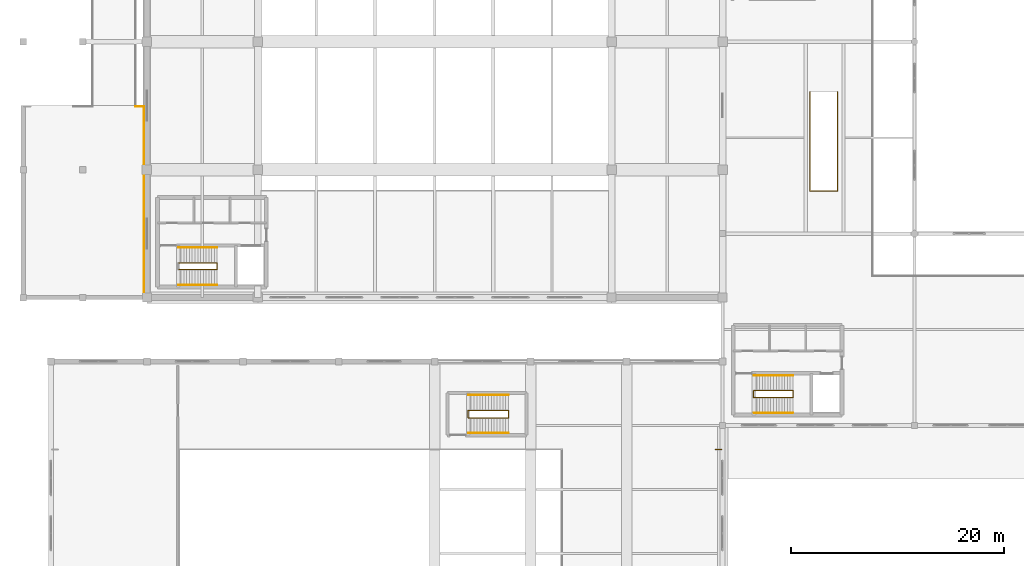
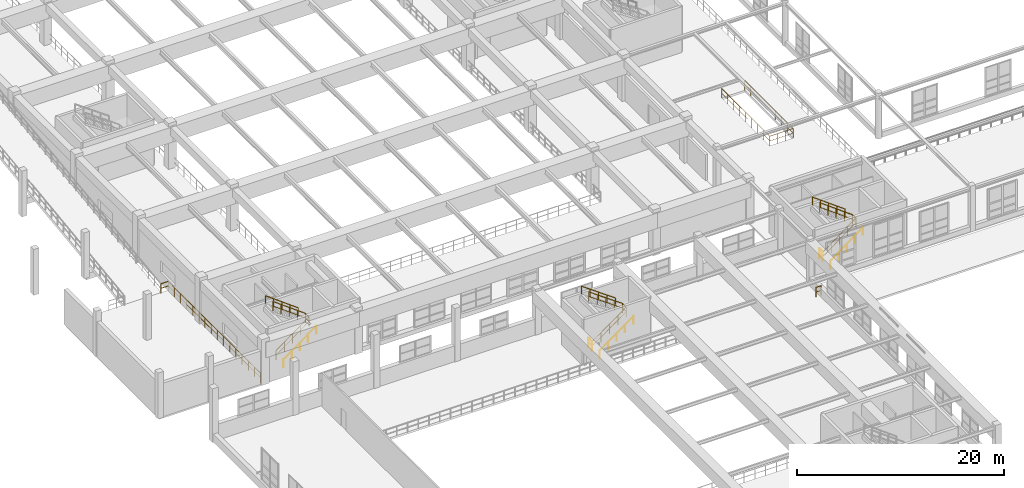
# One storey, part 188 of 197: 14 railings.
"""IFC4 building model written with IfcOpenShell, lengths in metres."""

from ifc_helpers import new_model, si_unit, derived_unit, direction, frame, origin, origin_2d, place, context, subcontext, project, spatial, circle, extrude, material, type_object, element, save


model = new_model("IFC4")

# Units and contexts
model_context = context("Model", 3, precision=1e-05, world=origin(), true_north=direction((0.0, 1.0)))
body_context = subcontext(model_context, "Body", "Model", "MODEL_VIEW")
ifc_project = project(units=[si_unit("LENGTHUNIT", "METRE"), si_unit("AREAUNIT", "SQUARE_METRE"), si_unit("VOLUMEUNIT", "CUBIC_METRE"), si_unit("PLANEANGLEUNIT", "RADIAN"), si_unit("MASSUNIT", "GRAM", prefix="KILO"), derived_unit("THERMALTRANSMITTANCEUNIT", [(si_unit("POWERUNIT", "WATT"), 1), (si_unit("LENGTHUNIT", "METRE"), -2), (si_unit("THERMODYNAMICTEMPERATUREUNIT", "KELVIN"), -1)])], contexts=[model_context])

# Site, building, storey
site_placement = place(None, origin())
site = spatial("IfcSite", under=ifc_project, at=site_placement, CompositionType="ELEMENT")
building_placement = place(site_placement, origin())
building = spatial("IfcBuilding", under=site, at=building_placement, Name="Almenara Railside Exhibition Hall", CompositionType="ELEMENT")
storey_placement = place(building_placement, frame((0.0, 0.0, 5.39990234375)))
storey = spatial("IfcBuildingStorey", under=building, at=storey_placement, Name="L01", CompositionType="ELEMENT", Elevation=5.39990234375)

# Railings
ifc_material_1 = material(Name="Bronze-capped laminated glass balustrade", Category="glass")
railing_type_1 = type_object("IfcRailingType", Name="Gallery Overlook Glazed Balustrade 1150mm", PredefinedType="BALUSTRADE", material=ifc_material_1)
railing_1_placement = place(storey_placement, frame((65.35009765625, 33.75, 0.0)))
element("IfcRailing", 1, at=railing_1_placement, inside=storey, type_object=railing_type_1, Name="Guard balustrade 0025", PredefinedType="BALUSTRADE", context=body_context, shape_type="SweptSolid", body=[
    extrude(circle(Radius=0.02392578125, at=origin_2d()), frame((0.0, 0.0, 1.1259765625), z_axis=(1.0, 0.0, 0.0), x_axis=(0.0, 1.0, 0.0)), (0.0, 0.0, 1.0), 0.56982421875),
    extrude(circle(Radius=0.01416015625, at=origin_2d()), frame((0.0, 0.0, 0.574951171875), z_axis=(1.0, 0.0, 0.0), x_axis=(0.0, 1.0, 0.0)), (0.0, 0.0, 1.0), 0.56982421875),
    extrude(circle(Radius=0.02099609375, at=origin_2d()), origin(), (0.0, 0.0, 1.0), 1.101806640625),
    extrude(circle(Radius=0.02099609375, at=origin_2d()), frame((0.56982421875, 0.0, 0.0)), (0.0, 0.0, 1.0), 1.101806640625),
])
railing_2_placement = place(storey_placement, frame((74.199951171875, 67.300048828125, 0.0)))
element("IfcRailing", 2, at=railing_2_placement, inside=storey, type_object=railing_type_1, Name="Guard balustrade 0028", PredefinedType="BALUSTRADE", context=body_context, shape_type="SweptSolid", body=[
    extrude(circle(Radius=0.02392578125, at=origin_2d()), frame((0.0, 0.0, 1.1259765625), z_axis=(0.0, -1.0, 0.0), x_axis=(1.0, 0.0, 0.0)), (0.0, 0.0, 1.0), 9.300048828125),
    extrude(circle(Radius=0.01416015625, at=origin_2d()), frame((0.0, 0.0, 0.574951171875), z_axis=(0.0, -1.0, 0.0), x_axis=(1.0, 0.0, 0.0)), (0.0, 0.0, 1.0), 9.300048828125),
    extrude(circle(Radius=0.02392578125, at=origin_2d()), frame((0.0, -9.300048828125, 1.1259765625), z_axis=(1.0, 0.0, 0.0), x_axis=(0.0, 1.0, 0.0)), (0.0, 0.0, 1.0), 2.60009765625),
    extrude(circle(Radius=0.01416015625, at=origin_2d()), frame((0.0, -9.300048828125, 0.574951171875), z_axis=(1.0, 0.0, 0.0), x_axis=(0.0, 1.0, 0.0)), (0.0, 0.0, 1.0), 2.60009765625),
    extrude(circle(Radius=0.02392578125, at=origin_2d()), frame((2.60009765625, -9.300048828125, 1.1259765625), z_axis=(0.0, 1.0, 0.0), x_axis=(-1.0, 0.0, 0.0)), (0.0, 0.0, 1.0), 9.300048828125),
    extrude(circle(Radius=0.01416015625, at=origin_2d()), frame((2.60009765625, -9.300048828125, 0.574951171875), z_axis=(0.0, 1.0, 0.0), x_axis=(-1.0, 0.0, 0.0)), (0.0, 0.0, 1.0), 9.300048828125),
    extrude(circle(Radius=0.02099609375, at=origin_2d()), origin(), (0.0, 0.0, 1.0), 1.101806640625),
    extrude(circle(Radius=0.02099609375, at=origin_2d()), frame((0.0, -1.16259765625, 0.0)), (0.0, 0.0, 1.0), 1.101806640625),
    extrude(circle(Radius=0.02099609375, at=origin_2d()), frame((0.0, -2.324951171875, 0.0)), (0.0, 0.0, 1.0), 1.101806640625),
    extrude(circle(Radius=0.02099609375, at=origin_2d()), frame((0.0, -3.487548828125, 0.0)), (0.0, 0.0, 1.0), 1.101806640625),
    extrude(circle(Radius=0.02099609375, at=origin_2d()), frame((0.0, -4.64990234375, 0.0)), (0.0, 0.0, 1.0), 1.101806640625),
    extrude(circle(Radius=0.02099609375, at=origin_2d()), frame((0.0, -5.8125, 0.0)), (0.0, 0.0, 1.0), 1.101806640625),
    extrude(circle(Radius=0.02099609375, at=origin_2d()), frame((0.0, -6.97509765625, 0.0)), (0.0, 0.0, 1.0), 1.101806640625),
    extrude(circle(Radius=0.02099609375, at=origin_2d()), frame((0.0, -8.137451171875, 0.0)), (0.0, 0.0, 1.0), 1.101806640625),
    extrude(circle(Radius=0.02099609375, at=origin_2d()), frame((0.0, -9.300048828125, 0.0)), (0.0, 0.0, 1.0), 1.101806640625),
    extrude(circle(Radius=0.02099609375, at=origin_2d()), frame((0.86669921875, -9.300048828125, 0.0)), (0.0, 0.0, 1.0), 1.101806640625),
    extrude(circle(Radius=0.02099609375, at=origin_2d()), frame((1.7333984375, -9.300048828125, 0.0)), (0.0, 0.0, 1.0), 1.101806640625),
    extrude(circle(Radius=0.02099609375, at=origin_2d()), frame((2.60009765625, -9.300048828125, 0.0)), (0.0, 0.0, 1.0), 1.101806640625),
    extrude(circle(Radius=0.02099609375, at=origin_2d()), frame((2.60009765625, -8.137451171875, 0.0)), (0.0, 0.0, 1.0), 1.101806640625),
    extrude(circle(Radius=0.02099609375, at=origin_2d()), frame((2.60009765625, -6.97509765625, 0.0)), (0.0, 0.0, 1.0), 1.101806640625),
    extrude(circle(Radius=0.02099609375, at=origin_2d()), frame((2.60009765625, -5.8125, 0.0)), (0.0, 0.0, 1.0), 1.101806640625),
    extrude(circle(Radius=0.02099609375, at=origin_2d()), frame((2.60009765625, -4.64990234375, 0.0)), (0.0, 0.0, 1.0), 1.101806640625),
    extrude(circle(Radius=0.02099609375, at=origin_2d()), frame((2.60009765625, -3.487548828125, 0.0)), (0.0, 0.0, 1.0), 1.101806640625),
    extrude(circle(Radius=0.02099609375, at=origin_2d()), frame((2.60009765625, -2.324951171875, 0.0)), (0.0, 0.0, 1.0), 1.101806640625),
    extrude(circle(Radius=0.02099609375, at=origin_2d()), frame((2.60009765625, -1.16259765625, 0.0)), (0.0, 0.0, 1.0), 1.101806640625),
    extrude(circle(Radius=0.02099609375, at=origin_2d()), frame((2.60009765625, 0.0, 0.0)), (0.0, 0.0, 1.0), 1.101806640625),
])
ifc_material_2 = material(Name="Bronze-finished tubular steel handrail", Category="steel")
railing_type_2 = type_object("IfcRailingType", Name="Stair Pitch Handrail 920mm", PredefinedType="HANDRAIL", material=ifc_material_2)
railing_3_placement = place(storey_placement, frame((14.949951171875, 49.199951171875, 0.0)))
element("IfcRailing", 3, at=railing_3_placement, inside=storey, type_object=railing_type_2, Name="HR-L01-0005", PredefinedType="HANDRAIL", context=body_context, shape_type="SweptSolid", body=[
    extrude(circle(Radius=0.02392578125, at=origin_2d()), frame((0.0, 0.0, 0.89599609375), z_axis=(0.803919029911, 0.0, 0.594738760589), x_axis=(0.0, 1.0, 0.0)), (0.0, 0.0, 1.0), 4.5400390625),
    extrude(circle(Radius=0.02099609375, at=origin_2d()), origin(), (0.0, 0.0, 1.0), 0.871826171875),
    extrude(circle(Radius=0.02099609375, at=origin_2d()), frame((0.91259765625, 0.0, 0.675048828125)), (0.0, 0.0, 1.0), 0.871826171875),
    extrude(circle(Radius=0.02099609375, at=origin_2d()), frame((1.824951171875, 0.0, 1.35009765625)), (0.0, 0.0, 1.0), 0.871826171875),
    extrude(circle(Radius=0.02099609375, at=origin_2d()), frame((2.7373046875, 0.0, 2.025146484375)), (0.0, 0.0, 1.0), 0.871826171875),
    extrude(circle(Radius=0.02099609375, at=origin_2d()), frame((3.64990234375, 0.0, 2.7001953125)), (0.0, 0.0, 1.0), 0.871826171875),
])
railing_4_placement = place(storey_placement, frame((18.599853515625, 52.699951171875, 2.7001953125)))
element("IfcRailing", 4, at=railing_4_placement, inside=storey, type_object=railing_type_2, Name="HR-L01-0006", PredefinedType="HANDRAIL", context=body_context, shape_type="SweptSolid", body=[
    extrude(circle(Radius=0.02392578125, at=origin_2d()), frame((0.0, 0.0, 0.89599609375), z_axis=(-0.803944740431, 0.0, 0.594704005647), x_axis=(0.0, -1.0, 0.0)), (0.0, 0.0, 1.0), 4.5400390625),
    extrude(circle(Radius=0.02099609375, at=origin_2d()), origin(), (0.0, 0.0, 1.0), 0.871826171875),
    extrude(circle(Radius=0.02099609375, at=origin_2d()), frame((-0.91259765625, 0.0, 0.675048828125)), (0.0, 0.0, 1.0), 0.871826171875),
    extrude(circle(Radius=0.02099609375, at=origin_2d()), frame((-1.824951171875, 0.0, 1.35009765625)), (0.0, 0.0, 1.0), 0.871826171875),
    extrude(circle(Radius=0.02099609375, at=origin_2d()), frame((-2.7373046875, 0.0, 2.02490234375)), (0.0, 0.0, 1.0), 0.871826171875),
    extrude(circle(Radius=0.02099609375, at=origin_2d()), frame((-3.64990234375, 0.0, 2.699951171875)), (0.0, 0.0, 1.0), 0.871826171875),
])
railing_5_placement = place(storey_placement, frame((68.949951171875, 37.199951171875, 0.0)))
element("IfcRailing", 5, at=railing_5_placement, inside=storey, type_object=railing_type_2, Name="HR-L01-0025", PredefinedType="HANDRAIL", context=body_context, shape_type="SweptSolid", body=[
    extrude(circle(Radius=0.02392578125, at=origin_2d()), frame((0.0, 0.0, 0.89599609375), z_axis=(0.803919029911, 0.0, 0.594738760589), x_axis=(0.0, 1.0, 0.0)), (0.0, 0.0, 1.0), 4.5400390625),
    extrude(circle(Radius=0.02099609375, at=origin_2d()), origin(), (0.0, 0.0, 1.0), 0.871826171875),
    extrude(circle(Radius=0.02099609375, at=origin_2d()), frame((0.91259765625, 0.0, 0.675048828125)), (0.0, 0.0, 1.0), 0.871826171875),
    extrude(circle(Radius=0.02099609375, at=origin_2d()), frame((1.824951171875, 0.0, 1.35009765625)), (0.0, 0.0, 1.0), 0.871826171875),
    extrude(circle(Radius=0.02099609375, at=origin_2d()), frame((2.7373046875, 0.0, 2.025146484375)), (0.0, 0.0, 1.0), 0.871826171875),
    extrude(circle(Radius=0.02099609375, at=origin_2d()), frame((3.64990234375, 0.0, 2.7001953125)), (0.0, 0.0, 1.0), 0.871826171875),
])
railing_6_placement = place(storey_placement, frame((72.599853515625, 40.699951171875, 2.7001953125)))
element("IfcRailing", 6, at=railing_6_placement, inside=storey, type_object=railing_type_2, Name="HR-L01-0026", PredefinedType="HANDRAIL", context=body_context, shape_type="SweptSolid", body=[
    extrude(circle(Radius=0.02392578125, at=origin_2d()), frame((0.0, 0.0, 0.89599609375), z_axis=(-0.803944740431, 0.0, 0.594704005647), x_axis=(0.0, -1.0, 0.0)), (0.0, 0.0, 1.0), 4.5400390625),
    extrude(circle(Radius=0.02099609375, at=origin_2d()), origin(), (0.0, 0.0, 1.0), 0.871826171875),
    extrude(circle(Radius=0.02099609375, at=origin_2d()), frame((-0.91259765625, 0.0, 0.675048828125)), (0.0, 0.0, 1.0), 0.871826171875),
    extrude(circle(Radius=0.02099609375, at=origin_2d()), frame((-1.824951171875, 0.0, 1.35009765625)), (0.0, 0.0, 1.0), 0.871826171875),
    extrude(circle(Radius=0.02099609375, at=origin_2d()), frame((-2.7373046875, 0.0, 2.02490234375)), (0.0, 0.0, 1.0), 0.871826171875),
    extrude(circle(Radius=0.02099609375, at=origin_2d()), frame((-3.64990234375, 0.0, 2.699951171875)), (0.0, 0.0, 1.0), 0.871826171875),
])
railing_7_placement = place(storey_placement, frame((42.14990234375, 35.300048828125, 0.0)))
element("IfcRailing", 7, at=railing_7_placement, inside=storey, type_object=railing_type_2, Name="HR-L01-0129", PredefinedType="HANDRAIL", context=body_context, shape_type="SweptSolid", body=[
    extrude(circle(Radius=0.02392578125, at=origin_2d()), frame((0.0, 0.0, 0.89599609375), z_axis=(0.813715715614, 0.0, 0.581263050746), x_axis=(0.0, 1.0, 0.0)), (0.0, 0.0, 1.0), 4.6455078125),
    extrude(circle(Radius=0.02099609375, at=origin_2d()), origin(), (0.0, 0.0, 1.0), 0.871826171875),
    extrude(circle(Radius=0.02099609375, at=origin_2d()), frame((0.945068359375, 0.0, 0.675048828125)), (0.0, 0.0, 1.0), 0.871826171875),
    extrude(circle(Radius=0.02099609375, at=origin_2d()), frame((1.89013671875, 0.0, 1.35009765625)), (0.0, 0.0, 1.0), 0.871826171875),
    extrude(circle(Radius=0.02099609375, at=origin_2d()), frame((2.8349609375, 0.0, 2.025146484375)), (0.0, 0.0, 1.0), 0.871826171875),
    extrude(circle(Radius=0.02099609375, at=origin_2d()), frame((3.780029296875, 0.0, 2.7001953125)), (0.0, 0.0, 1.0), 0.871826171875),
])
railing_8_placement = place(storey_placement, frame((45.929931640625, 38.85009765625, 2.7001953125)))
element("IfcRailing", 8, at=railing_8_placement, inside=storey, type_object=railing_type_2, Name="HR-L01-0130", PredefinedType="HANDRAIL", context=body_context, shape_type="SweptSolid", body=[
    extrude(circle(Radius=0.02392578125, at=origin_2d()), frame((0.0, 0.0, 0.89599609375), z_axis=(-0.813740573448, 0.0, 0.581228250453), x_axis=(0.0, -1.0, 0.0)), (0.0, 0.0, 1.0), 4.645263671875),
    extrude(circle(Radius=0.02099609375, at=origin_2d()), origin(), (0.0, 0.0, 1.0), 0.871826171875),
    extrude(circle(Radius=0.02099609375, at=origin_2d()), frame((-0.945068359375, 0.0, 0.675048828125)), (0.0, 0.0, 1.0), 0.871826171875),
    extrude(circle(Radius=0.02099609375, at=origin_2d()), frame((-1.89013671875, 0.0, 1.35009765625)), (0.0, 0.0, 1.0), 0.871826171875),
    extrude(circle(Radius=0.02099609375, at=origin_2d()), frame((-2.8349609375, 0.0, 2.02490234375)), (0.0, 0.0, 1.0), 0.871826171875),
    extrude(circle(Radius=0.02099609375, at=origin_2d()), frame((-3.780029296875, 0.0, 2.699951171875)), (0.0, 0.0, 1.0), 0.871826171875),
])
ifc_material_3 = material(Name="Dark wrought-iron stair balustrade")
railing_type_3 = type_object("IfcRailingType", Name="Stair Well Guard Rail 1120mm", PredefinedType="BALUSTRADE", material=ifc_material_3)
railing_9_placement = place(storey_placement, frame((14.949951171875, 50.6298828125, 0.0)))
element("IfcRailing", 9, at=railing_9_placement, inside=storey, type_object=railing_type_3, Name="SG-L01-0007", PredefinedType="BALUSTRADE", context=body_context, shape_type="SweptSolid", body=[
    extrude(circle(Radius=0.02392578125, at=origin_2d()), frame((0.0, 0.0, 1.09619140625), z_axis=(0.803919029911, 0.0, 0.594738760589), x_axis=(0.0, 1.0, 0.0)), (0.0, 0.0, 1.0), 4.5400390625),
    extrude(circle(Radius=0.01416015625, at=origin_2d()), frame((0.0, 0.0, 0.56005859375), z_axis=(0.803919029911, 0.0, 0.594738760589), x_axis=(0.0, 1.0, 0.0)), (0.0, 0.0, 1.0), 4.5400390625),
    extrude(circle(Radius=0.02392578125, at=origin_2d()), frame((3.64990234375, 0.0, 3.79638671875), z_axis=(0.0, 1.0, 0.0), x_axis=(-1.0, 0.0, 0.0)), (0.0, 0.0, 1.0), 0.64013671875),
    extrude(circle(Radius=0.01416015625, at=origin_2d()), frame((3.64990234375, 0.0, 3.26025390625), z_axis=(0.0, 1.0, 0.0), x_axis=(-1.0, 0.0, 0.0)), (0.0, 0.0, 1.0), 0.64013671875),
    extrude(circle(Radius=0.02392578125, at=origin_2d()), frame((3.64990234375, 0.64013671875, 3.79638671875), z_axis=(-0.803944740431, 0.0, 0.594704005647), x_axis=(0.0, -1.0, 0.0)), (0.0, 0.0, 1.0), 4.5400390625),
    extrude(circle(Radius=0.01416015625, at=origin_2d()), frame((3.64990234375, 0.64013671875, 3.26025390625), z_axis=(-0.803944740431, 0.0, 0.594704005647), x_axis=(0.0, -1.0, 0.0)), (0.0, 0.0, 1.0), 4.5400390625),
    extrude(circle(Radius=0.02099609375, at=origin_2d()), origin(), (0.0, 0.0, 1.0), 1.072021484375),
    extrude(circle(Radius=0.02099609375, at=origin_2d()), frame((0.91259765625, 0.0, 0.675048828125)), (0.0, 0.0, 1.0), 1.072021484375),
    extrude(circle(Radius=0.02099609375, at=origin_2d()), frame((1.824951171875, 0.0, 1.35009765625)), (0.0, 0.0, 1.0), 1.072021484375),
    extrude(circle(Radius=0.02099609375, at=origin_2d()), frame((2.7373046875, 0.0, 2.025146484375)), (0.0, 0.0, 1.0), 1.072021484375),
    extrude(circle(Radius=0.02099609375, at=origin_2d()), frame((3.64990234375, 0.0, 2.7001953125)), (0.0, 0.0, 1.0), 1.072021484375),
    extrude(circle(Radius=0.02099609375, at=origin_2d()), frame((3.64990234375, 0.64013671875, 2.7001953125)), (0.0, 0.0, 1.0), 1.072021484375),
    extrude(circle(Radius=0.02099609375, at=origin_2d()), frame((2.7373046875, 0.64013671875, 3.375244140625)), (0.0, 0.0, 1.0), 1.072021484375),
    extrude(circle(Radius=0.02099609375, at=origin_2d()), frame((1.824951171875, 0.64013671875, 4.05029296875)), (0.0, 0.0, 1.0), 1.072021484375),
    extrude(circle(Radius=0.02099609375, at=origin_2d()), frame((0.91259765625, 0.64013671875, 4.72509765625)), (0.0, 0.0, 1.0), 1.072021484375),
    extrude(circle(Radius=0.02099609375, at=origin_2d()), frame((0.0, 0.64013671875, 5.400146484375)), (0.0, 0.0, 1.0), 1.072021484375),
])
railing_10_placement = place(storey_placement, frame((68.919921875, 38.6298828125, 0.0)))
element("IfcRailing", 10, at=railing_10_placement, inside=storey, type_object=railing_type_3, Name="SG-L01-0024", PredefinedType="BALUSTRADE", context=body_context, shape_type="SweptSolid", body=[
    extrude(circle(Radius=0.02392578125, at=origin_2d()), frame((0.0, 0.0, 1.09619140625), z_axis=(0.0, 1.0, 0.0), x_axis=(-1.0, 0.0, 0.0)), (0.0, 0.0, 1.0), 0.64013671875),
    extrude(circle(Radius=0.01416015625, at=origin_2d()), frame((0.0, 0.0, 0.56005859375), z_axis=(0.0, 1.0, 0.0), x_axis=(-1.0, 0.0, 0.0)), (0.0, 0.0, 1.0), 0.64013671875),
    extrude(circle(Radius=0.02099609375, at=origin_2d()), origin(), (0.0, 0.0, 1.0), 1.072021484375),
    extrude(circle(Radius=0.02099609375, at=origin_2d()), frame((0.0, 0.64013671875, 0.0)), (0.0, 0.0, 1.0), 1.072021484375),
])
railing_11_placement = place(storey_placement, frame((68.949951171875, 38.6298828125, 0.0)))
element("IfcRailing", 11, at=railing_11_placement, inside=storey, type_object=railing_type_3, Name="SG-L01-0027", PredefinedType="BALUSTRADE", context=body_context, shape_type="SweptSolid", body=[
    extrude(circle(Radius=0.02392578125, at=origin_2d()), frame((0.0, 0.0, 1.09619140625), z_axis=(0.803919029911, 0.0, 0.594738760589), x_axis=(0.0, 1.0, 0.0)), (0.0, 0.0, 1.0), 4.5400390625),
    extrude(circle(Radius=0.01416015625, at=origin_2d()), frame((0.0, 0.0, 0.56005859375), z_axis=(0.803919029911, 0.0, 0.594738760589), x_axis=(0.0, 1.0, 0.0)), (0.0, 0.0, 1.0), 4.5400390625),
    extrude(circle(Radius=0.02392578125, at=origin_2d()), frame((3.64990234375, 0.0, 3.79638671875), z_axis=(0.0, 1.0, 0.0), x_axis=(-1.0, 0.0, 0.0)), (0.0, 0.0, 1.0), 0.64013671875),
    extrude(circle(Radius=0.01416015625, at=origin_2d()), frame((3.64990234375, 0.0, 3.26025390625), z_axis=(0.0, 1.0, 0.0), x_axis=(-1.0, 0.0, 0.0)), (0.0, 0.0, 1.0), 0.64013671875),
    extrude(circle(Radius=0.02392578125, at=origin_2d()), frame((3.64990234375, 0.64013671875, 3.79638671875), z_axis=(-0.803944740431, 0.0, 0.594704005647), x_axis=(0.0, -1.0, 0.0)), (0.0, 0.0, 1.0), 4.5400390625),
    extrude(circle(Radius=0.01416015625, at=origin_2d()), frame((3.64990234375, 0.64013671875, 3.26025390625), z_axis=(-0.803944740431, 0.0, 0.594704005647), x_axis=(0.0, -1.0, 0.0)), (0.0, 0.0, 1.0), 4.5400390625),
    extrude(circle(Radius=0.02099609375, at=origin_2d()), origin(), (0.0, 0.0, 1.0), 1.072021484375),
    extrude(circle(Radius=0.02099609375, at=origin_2d()), frame((0.91259765625, 0.0, 0.675048828125)), (0.0, 0.0, 1.0), 1.072021484375),
    extrude(circle(Radius=0.02099609375, at=origin_2d()), frame((1.824951171875, 0.0, 1.35009765625)), (0.0, 0.0, 1.0), 1.072021484375),
    extrude(circle(Radius=0.02099609375, at=origin_2d()), frame((2.7373046875, 0.0, 2.025146484375)), (0.0, 0.0, 1.0), 1.072021484375),
    extrude(circle(Radius=0.02099609375, at=origin_2d()), frame((3.64990234375, 0.0, 2.7001953125)), (0.0, 0.0, 1.0), 1.072021484375),
    extrude(circle(Radius=0.02099609375, at=origin_2d()), frame((3.64990234375, 0.64013671875, 2.7001953125)), (0.0, 0.0, 1.0), 1.072021484375),
    extrude(circle(Radius=0.02099609375, at=origin_2d()), frame((2.7373046875, 0.64013671875, 3.375244140625)), (0.0, 0.0, 1.0), 1.072021484375),
    extrude(circle(Radius=0.02099609375, at=origin_2d()), frame((1.824951171875, 0.64013671875, 4.05029296875)), (0.0, 0.0, 1.0), 1.072021484375),
    extrude(circle(Radius=0.02099609375, at=origin_2d()), frame((0.91259765625, 0.64013671875, 4.72509765625)), (0.0, 0.0, 1.0), 1.072021484375),
    extrude(circle(Radius=0.02099609375, at=origin_2d()), frame((0.0, 0.64013671875, 5.400146484375)), (0.0, 0.0, 1.0), 1.072021484375),
])
railing_12_placement = place(storey_placement, frame((42.1201171875, 36.72998046875, 0.0)))
element("IfcRailing", 12, at=railing_12_placement, inside=storey, type_object=railing_type_3, Name="SG-L01-0128", PredefinedType="BALUSTRADE", context=body_context, shape_type="SweptSolid", body=[
    extrude(circle(Radius=0.02392578125, at=origin_2d()), frame((0.0, 0.0, 1.09619140625), z_axis=(0.0, 1.0, 0.0), x_axis=(-1.0, 0.0, 0.0)), (0.0, 0.0, 1.0), 0.68994140625),
    extrude(circle(Radius=0.01416015625, at=origin_2d()), frame((0.0, 0.0, 0.56005859375), z_axis=(0.0, 1.0, 0.0), x_axis=(-1.0, 0.0, 0.0)), (0.0, 0.0, 1.0), 0.68994140625),
    extrude(circle(Radius=0.02099609375, at=origin_2d()), origin(), (0.0, 0.0, 1.0), 1.072021484375),
    extrude(circle(Radius=0.02099609375, at=origin_2d()), frame((0.0, 0.68994140625, 0.0)), (0.0, 0.0, 1.0), 1.072021484375),
])
railing_13_placement = place(storey_placement, frame((42.14990234375, 36.72998046875, 0.0)))
element("IfcRailing", 13, at=railing_13_placement, inside=storey, type_object=railing_type_3, Name="SG-L01-0131", PredefinedType="BALUSTRADE", context=body_context, shape_type="SweptSolid", body=[
    extrude(circle(Radius=0.02392578125, at=origin_2d()), frame((0.0, 0.0, 1.09619140625), z_axis=(0.813715715614, 0.0, 0.581263050746), x_axis=(0.0, 1.0, 0.0)), (0.0, 0.0, 1.0), 4.6455078125),
    extrude(circle(Radius=0.01416015625, at=origin_2d()), frame((0.0, 0.0, 0.56005859375), z_axis=(0.813715715614, 0.0, 0.581263050746), x_axis=(0.0, 1.0, 0.0)), (0.0, 0.0, 1.0), 4.6455078125),
    extrude(circle(Radius=0.02392578125, at=origin_2d()), frame((3.780029296875, 0.0, 3.79638671875), z_axis=(0.0, 1.0, 0.0), x_axis=(-1.0, 0.0, 0.0)), (0.0, 0.0, 1.0), 0.68994140625),
    extrude(circle(Radius=0.01416015625, at=origin_2d()), frame((3.780029296875, 0.0, 3.26025390625), z_axis=(0.0, 1.0, 0.0), x_axis=(-1.0, 0.0, 0.0)), (0.0, 0.0, 1.0), 0.68994140625),
    extrude(circle(Radius=0.02392578125, at=origin_2d()), frame((3.780029296875, 0.68994140625, 3.79638671875), z_axis=(-0.813740573448, 0.0, 0.581228250453), x_axis=(0.0, -1.0, 0.0)), (0.0, 0.0, 1.0), 4.645263671875),
    extrude(circle(Radius=0.01416015625, at=origin_2d()), frame((3.780029296875, 0.68994140625, 3.26025390625), z_axis=(-0.813740573448, 0.0, 0.581228250453), x_axis=(0.0, -1.0, 0.0)), (0.0, 0.0, 1.0), 4.645263671875),
    extrude(circle(Radius=0.02099609375, at=origin_2d()), origin(), (0.0, 0.0, 1.0), 1.072021484375),
    extrude(circle(Radius=0.02099609375, at=origin_2d()), frame((0.945068359375, 0.0, 0.675048828125)), (0.0, 0.0, 1.0), 1.072021484375),
    extrude(circle(Radius=0.02099609375, at=origin_2d()), frame((1.89013671875, 0.0, 1.35009765625)), (0.0, 0.0, 1.0), 1.072021484375),
    extrude(circle(Radius=0.02099609375, at=origin_2d()), frame((2.8349609375, 0.0, 2.025146484375)), (0.0, 0.0, 1.0), 1.072021484375),
    extrude(circle(Radius=0.02099609375, at=origin_2d()), frame((3.780029296875, 0.0, 2.7001953125)), (0.0, 0.0, 1.0), 1.072021484375),
    extrude(circle(Radius=0.02099609375, at=origin_2d()), frame((3.780029296875, 0.68994140625, 2.7001953125)), (0.0, 0.0, 1.0), 1.072021484375),
    extrude(circle(Radius=0.02099609375, at=origin_2d()), frame((2.8349609375, 0.68994140625, 3.375244140625)), (0.0, 0.0, 1.0), 1.072021484375),
    extrude(circle(Radius=0.02099609375, at=origin_2d()), frame((1.89013671875, 0.68994140625, 4.05029296875)), (0.0, 0.0, 1.0), 1.072021484375),
    extrude(circle(Radius=0.02099609375, at=origin_2d()), frame((0.945068359375, 0.68994140625, 4.72509765625)), (0.0, 0.0, 1.0), 1.072021484375),
    extrude(circle(Radius=0.02099609375, at=origin_2d()), frame((0.0, 0.68994140625, 5.400146484375)), (0.0, 0.0, 1.0), 1.072021484375),
])
ifc_material_4 = material(Name="Dark wrought-iron architectural balustrade")
railing_type_4 = type_object("IfcRailingType", Name="Wrought-Iron Rejas Terrace Balustrade 1120mm", PredefinedType="BALUSTRADE", material=ifc_material_4)
railing_14_placement = place(storey_placement, frame((10.919921875, 65.919921875, 0.0)))
element("IfcRailing", 14, at=railing_14_placement, inside=storey, type_object=railing_type_4, Name="Guard balustrade 0012", PredefinedType="BALUSTRADE", context=body_context, shape_type="SweptSolid", body=[
    extrude(circle(Radius=0.02392578125, at=origin_2d()), frame((0.0, 0.0, 1.09619140625), z_axis=(1.0, 0.0, 0.0), x_axis=(0.0, 1.0, 0.0)), (0.0, 0.0, 1.0), 0.830078125),
    extrude(circle(Radius=0.01416015625, at=origin_2d()), frame((0.0, 0.0, 0.56005859375), z_axis=(1.0, 0.0, 0.0), x_axis=(0.0, 1.0, 0.0)), (0.0, 0.0, 1.0), 0.830078125),
    extrude(circle(Radius=0.02392578125, at=origin_2d()), frame((0.830078125, 0.0, 1.09619140625), z_axis=(0.0, -1.0, 0.0), x_axis=(1.0, 0.0, 0.0)), (0.0, 0.0, 1.0), 17.83984375),
    extrude(circle(Radius=0.01416015625, at=origin_2d()), frame((0.830078125, 0.0, 0.56005859375), z_axis=(0.0, -1.0, 0.0), x_axis=(1.0, 0.0, 0.0)), (0.0, 0.0, 1.0), 17.83984375),
    extrude(circle(Radius=0.02099609375, at=origin_2d()), origin(), (0.0, 0.0, 1.0), 1.072021484375),
    extrude(circle(Radius=0.02099609375, at=origin_2d()), frame((0.830078125, 0.0, 0.0)), (0.0, 0.0, 1.0), 1.072021484375),
    extrude(circle(Radius=0.02099609375, at=origin_2d()), frame((0.830078125, -1.189208984375, 0.0)), (0.0, 0.0, 1.0), 1.072021484375),
    extrude(circle(Radius=0.02099609375, at=origin_2d()), frame((0.830078125, -2.378662109375, 0.0)), (0.0, 0.0, 1.0), 1.072021484375),
    extrude(circle(Radius=0.02099609375, at=origin_2d()), frame((0.830078125, -3.56787109375, 0.0)), (0.0, 0.0, 1.0), 1.072021484375),
    extrude(circle(Radius=0.02099609375, at=origin_2d()), frame((0.830078125, -4.75732421875, 0.0)), (0.0, 0.0, 1.0), 1.072021484375),
    extrude(circle(Radius=0.02099609375, at=origin_2d()), frame((0.830078125, -5.946533203125, 0.0)), (0.0, 0.0, 1.0), 1.072021484375),
    extrude(circle(Radius=0.02099609375, at=origin_2d()), frame((0.830078125, -7.135986328125, 0.0)), (0.0, 0.0, 1.0), 1.072021484375),
    extrude(circle(Radius=0.02099609375, at=origin_2d()), frame((0.830078125, -8.3251953125, 0.0)), (0.0, 0.0, 1.0), 1.072021484375),
    extrude(circle(Radius=0.02099609375, at=origin_2d()), frame((0.830078125, -9.5146484375, 0.0)), (0.0, 0.0, 1.0), 1.072021484375),
    extrude(circle(Radius=0.02099609375, at=origin_2d()), frame((0.830078125, -10.703857421875, 0.0)), (0.0, 0.0, 1.0), 1.072021484375),
    extrude(circle(Radius=0.02099609375, at=origin_2d()), frame((0.830078125, -11.893310546875, 0.0)), (0.0, 0.0, 1.0), 1.072021484375),
    extrude(circle(Radius=0.02099609375, at=origin_2d()), frame((0.830078125, -13.08251953125, 0.0)), (0.0, 0.0, 1.0), 1.072021484375),
    extrude(circle(Radius=0.02099609375, at=origin_2d()), frame((0.830078125, -14.27197265625, 0.0)), (0.0, 0.0, 1.0), 1.072021484375),
    extrude(circle(Radius=0.02099609375, at=origin_2d()), frame((0.830078125, -15.461181640625, 0.0)), (0.0, 0.0, 1.0), 1.072021484375),
    extrude(circle(Radius=0.02099609375, at=origin_2d()), frame((0.830078125, -16.650634765625, 0.0)), (0.0, 0.0, 1.0), 1.072021484375),
    extrude(circle(Radius=0.02099609375, at=origin_2d()), frame((0.830078125, -17.83984375, 0.0)), (0.0, 0.0, 1.0), 1.072021484375),
])

save(model, "model.ifc")
